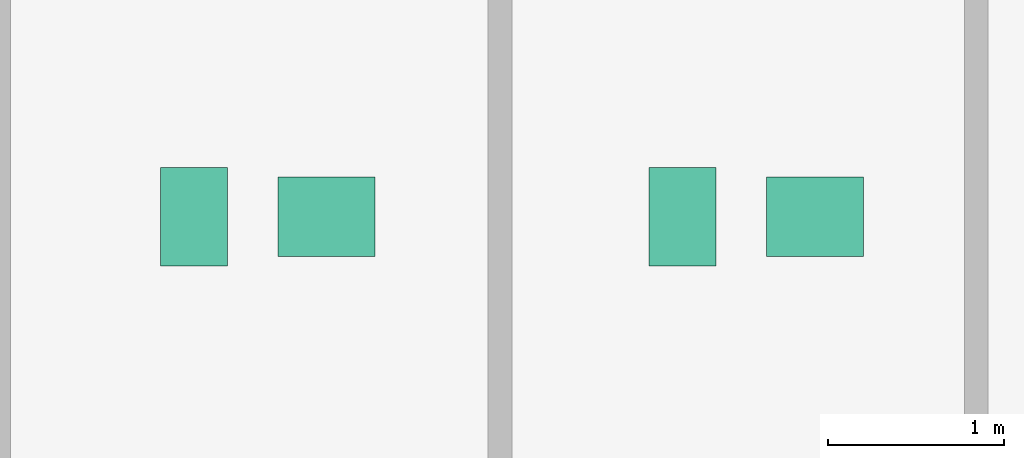
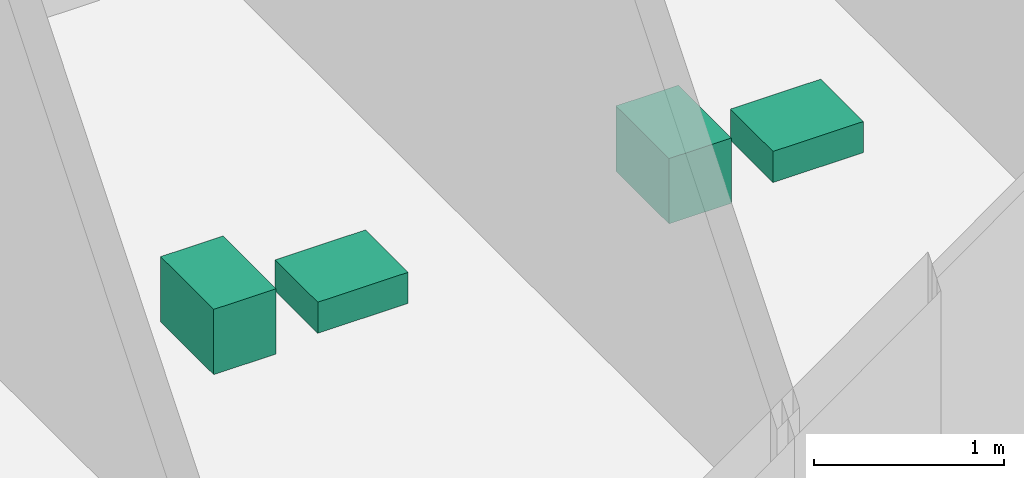
# One storey, part 28 of 28: 4 sanitary terminals.
"""IFC4 building model written with IfcOpenShell, lengths in metres."""

from ifc_helpers import new_model, si_unit, direction, frame, origin, origin_2d, place, context, subcontext, project, spatial, rectangle, extrude, material, type_object, element, save


model = new_model("IFC4")

# Units and contexts
model_context = context("Model", 3, precision=1e-05, world=origin(), true_north=direction((0.0, 1.0)))
body_context = subcontext(model_context, "Body", "Model", "MODEL_VIEW")
ifc_project = project(units=[si_unit("LENGTHUNIT", "METRE"), si_unit("AREAUNIT", "SQUARE_METRE"), si_unit("VOLUMEUNIT", "CUBIC_METRE"), si_unit("PLANEANGLEUNIT", "RADIAN"), si_unit("MASSUNIT", "GRAM", prefix="KILO")], contexts=[model_context])

# Site, building, storey
site_placement = place(None, origin())
site = spatial("IfcSite", under=ifc_project, at=site_placement, CompositionType="ELEMENT")
building_placement = place(site_placement, origin())
building = spatial("IfcBuilding", under=site, at=building_placement, Name="Zuhayl Quay Hotel", CompositionType="ELEMENT")
storey_placement = place(building_placement, frame((0.0, 0.0, 22.800048828125)))
storey = spatial("IfcBuildingStorey", under=building, at=storey_placement, Name="L04", CompositionType="ELEMENT", Elevation=22.800048828125)

# Sanitary terminals
ifc_material = material(Name="Vitreous Porcelain Sanitaryware")
sanitary_terminal_type_1 = type_object("IfcSanitaryTerminalType", Name="SAN_BASIN", PredefinedType="WASHHANDBASIN", material=ifc_material)
for number, where, z_axis, x_axis, name in (
    (1, (26.514892578125, 19.85009765625, 0.0), (0.0, 0.0, 1.0), (1.0, 0.0, 0.0), "L04 Sanitary Fixture WASHHANDBASIN"),
    (2, (29.284912109375, 19.85009765625, 0.0), (0.0, 0.0, 1.0), (1.0, 0.0, 0.0), "L04 Sanitary Fixture WASHHANDBASIN"),
):
    element("IfcSanitaryTerminal", number, at=place(storey_placement, frame(where, z_axis=z_axis, x_axis=x_axis)), inside=storey, type_object=sanitary_terminal_type_1, Name=name, PredefinedType="WASHHANDBASIN", context=body_context, shape_type="SweptSolid", body=[
        extrude(rectangle(XDim=0.550048828125, YDim=0.449951171875, at=origin_2d()), origin(), (0.0, 0.0, 1.0), 0.199951171875),
    ])
sanitary_terminal_type_2 = type_object("IfcSanitaryTerminalType", Name="SAN_WC", PredefinedType="TOILETPAN", material=ifc_material)
for number, where, z_axis, x_axis, name in (
    (3, (25.764892578125, 19.85009765625, 0.0), (0.0, 0.0, 1.0), (1.0, 0.0, 0.0), "L04 Sanitary Fixture TOILETPAN"),
    (4, (28.534912109375, 19.85009765625, 0.0), (0.0, 0.0, 1.0), (1.0, 0.0, 0.0), "L04 Sanitary Fixture TOILETPAN"),
):
    element("IfcSanitaryTerminal", number, at=place(storey_placement, frame(where, z_axis=z_axis, x_axis=x_axis)), inside=storey, type_object=sanitary_terminal_type_2, Name=name, PredefinedType="TOILETPAN", context=body_context, shape_type="SweptSolid", body=[
        extrude(rectangle(XDim=0.3798828125, YDim=0.56005859375, at=origin_2d()), origin(), (0.0, 0.0, 1.0), 0.419921875),
    ])

save(model, "model.ifc")
